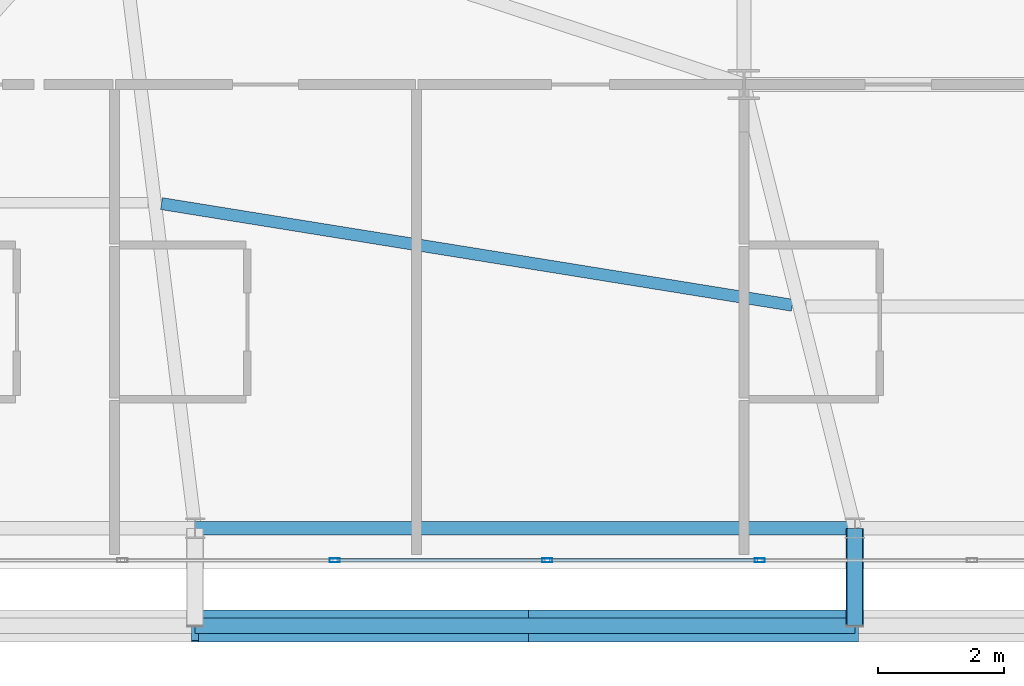
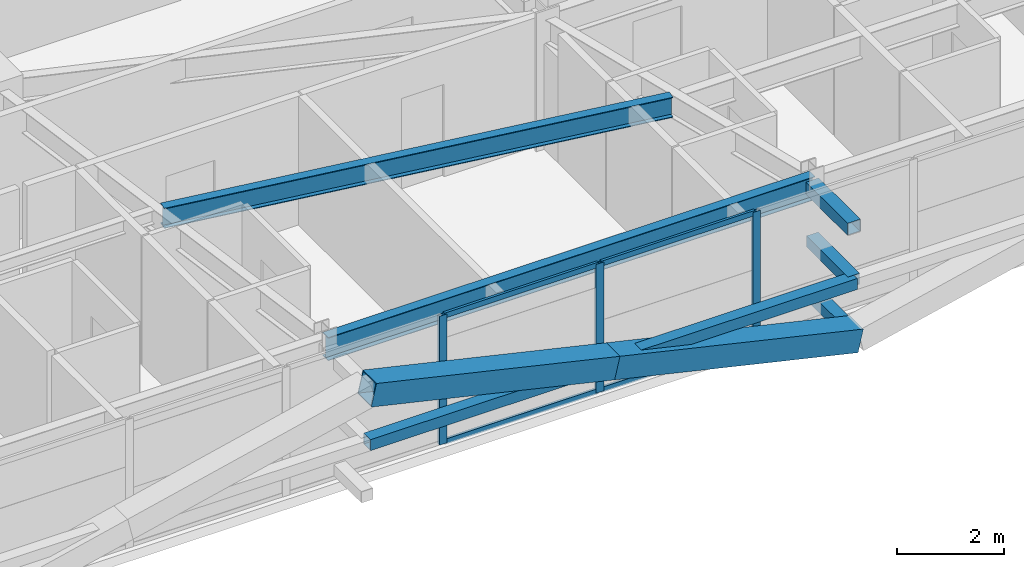
# One storey, part 11 of 59: 13 members, 2 beams, 1 element without a shape of its own.
"""IFC4 building model written with IfcOpenShell, lengths in metres."""

from ifc_helpers import new_model, si_unit, direction, frame, origin, origin_2d, place, context, subcontext, project, spatial, hollow_rectangle, i_section, extrude, source, transform, mapped, material, layer, layer_set, material_profile, profile_set, type_object, element, aggregate, save


model = new_model("IFC4")

# Units and contexts
model_context = context("Model", 3, precision=1e-05, world=origin(), true_north=direction((0.0, 1.0)))
body_context = subcontext(model_context, "Body", "Model", "MODEL_VIEW")
ifc_project = project(units=[si_unit("LENGTHUNIT", "METRE"), si_unit("AREAUNIT", "SQUARE_METRE"), si_unit("VOLUMEUNIT", "CUBIC_METRE"), si_unit("PLANEANGLEUNIT", "RADIAN"), si_unit("MASSUNIT", "GRAM", prefix="KILO")], contexts=[model_context])

# Site, building, storey
site_placement = place(None, origin())
site = spatial("IfcSite", under=ifc_project, at=site_placement, CompositionType="ELEMENT")
building_placement = place(site_placement, origin())
building = spatial("IfcBuilding", under=site, at=building_placement, Name="Taldren Reach Tower", CompositionType="ELEMENT")
storey_placement = place(building_placement, frame((0.0, 0.0, 23.10009765625)))
storey = spatial("IfcBuildingStorey", under=building, at=storey_placement, Name="L06", CompositionType="ELEMENT", Elevation=23.10009765625)

# Beams
ifc_material_1 = material(Name="Steel Gr 350 (350PLUS)", Category="steel")
ifc_material_profile_1 = material_profile(ifc_material_1, i_section(OverallWidth=0.208984375, OverallDepth=0.528076171875, WebThickness=0.009521484375, FlangeThickness=0.01318359375, at=origin_2d()), Name="530UB82.0")
ifc_profile_set_1 = profile_set([ifc_material_profile_1], Name="Steel Gr 350 (350PLUS)")
beam_type_1 = type_object("IfcBeamType", Name="SP-UB530B", PredefinedType="SPANDREL", material=ifc_profile_set_1)
shared_shape_1 = source(origin(), body_context, "Body", "SweptSolid", [
    extrude(i_section(OverallWidth=0.208984375, OverallDepth=0.528076171875, WebThickness=0.009521484375, FlangeThickness=0.01318359375, at=origin_2d()), origin(), (0.0, 0.0, 1.0), 10.47998046875),
])
beam_1_placement = place(storey_placement, frame((19.280029296875, 2.14990234375, 2.666015625), z_axis=(1.0, 0.0, 0.0), x_axis=(0.0, 1.0, 0.0)))
element("IfcBeam", 1, at=beam_1_placement, inside=storey, type_object=beam_type_1, Name="Perimeter spandrel B1 S2-S3 L06", PredefinedType="SPANDREL", context=body_context, shape_type="MappedRepresentation", body=[
    mapped(shared_shape_1, transform((0.0, 0.0, 0.0), scale=1.0)),
])
ifc_material_profile_2 = material_profile(ifc_material_1, i_section(OverallWidth=0.19091796875, OverallDepth=0.4599609375, WebThickness=0.010009765625, FlangeThickness=0.01611328125, at=origin_2d()), Name="460UB82.1")
ifc_profile_set_2 = profile_set([ifc_material_profile_2], Name="Steel Gr 350 (350PLUS)")
beam_type_2 = type_object("IfcBeamType", Name="BM-UB460A", PredefinedType="BEAM", material=ifc_profile_set_2)
shared_shape_2 = source(origin(), body_context, "Body", "SweptSolid", [
    extrude(i_section(OverallWidth=0.19091796875, OverallDepth=0.4599609375, WebThickness=0.010009765625, FlangeThickness=0.01611328125, at=origin_2d()), origin(), (0.0, 0.0, 1.0), 10.1494140625),
])
beam_2_placement = place(storey_placement, frame((18.74755859375, 7.3076171875, 2.699951171875), z_axis=(0.987266967452, -0.159072106224, 0.0), x_axis=(0.159072106224, 0.987266967452, 0.0)))
element("IfcBeam", 2, at=beam_2_placement, inside=storey, type_object=beam_type_2, Name="Secondary floor beam B1 J2 L06", PredefinedType="BEAM", context=body_context, shape_type="MappedRepresentation", body=[
    mapped(shared_shape_2, transform((0.0, 0.0, 0.0), scale=1.0)),
])

# Members
ifc_material_2 = material(Name="Steel Gr 450 (C450L0)", Category="steel")
ifc_material_profile_3 = material_profile(ifc_material_2, hollow_rectangle(XDim=0.27490234375, YDim=0.27490234375, WallThickness=0.00927734375, at=origin_2d()), Name="275x275x9.3SHS")
ifc_profile_set_3 = profile_set([ifc_material_profile_3], Name="Steel Gr 450 (C450L0)")
member_type_1 = type_object("IfcMemberType", Name="MB-TIE273", PredefinedType="STRUT", material=ifc_profile_set_3)
shared_shape_3 = source(origin(), body_context, "Body", "SweptSolid", [
    extrude(hollow_rectangle(XDim=0.27490234375, YDim=0.27490234375, WallThickness=0.00927734375, at=origin_2d()), origin(), (0.0, 0.0, 1.0), 1.5498046875),
])
member_1_placement = place(storey_placement, frame((29.760009765625, 2.14990234375, 2.64990234375), z_axis=(0.0, -1.0, 0.0), x_axis=(1.0, 0.0, 0.0)))
element("IfcMember", 3, at=member_1_placement, inside=storey, type_object=member_type_1, Name="Exoskeleton diaphragm tie strut B1-S3 L06", PredefinedType="STRUT", context=body_context, shape_type="MappedRepresentation", body=[
    mapped(shared_shape_3, transform((0.0, 0.0, 0.0), scale=1.0)),
])
ifc_material_profile_4 = material_profile(ifc_material_2, hollow_rectangle(XDim=0.510009765625, YDim=0.510009765625, WallThickness=0.02001953125, at=origin_2d()), Name="510x510x20.0SHS")
ifc_profile_set_4 = profile_set([ifc_material_profile_4], Name="Steel Gr 450 (C450L0)")
member_type_2 = type_object("IfcMemberType", Name="MB-EXO508", PredefinedType="BRACE", material=ifc_profile_set_4)
shared_shape_4 = source(origin(), body_context, "Body", "SweptSolid", [
    extrude(hollow_rectangle(XDim=0.510009765625, YDim=0.510009765625, WallThickness=0.02001953125, at=origin_2d()), origin(), (0.0, 0.0, 1.0), 5.37890625),
])
for number, where, z_axis, x_axis, name in (
    (4, (29.760009765625, 0.60009765625, 0.219970703125), (-0.974161966843, 0.0, 0.225850531007), (0.0, -1.0, 0.0), "Exoskeleton Diagrid Brace B1-S2 L06"),
    (5, (24.52001953125, 0.60009765625, 1.434814453125), (-0.97415197996, 0.0, 0.225893603143), (0.0, -1.0, 0.0), "Exoskeleton Diagrid Brace B1-S2 L06"),
):
    element("IfcMember", number, at=place(storey_placement, frame(where, z_axis=z_axis, x_axis=x_axis)), inside=storey, type_object=member_type_2, Name=name, PredefinedType="BRACE", context=body_context, shape_type="MappedRepresentation", body=[
        mapped(shared_shape_4, transform((0.0, 0.0, 0.0), scale=1.0)),
    ])
ifc_material_3 = material(Name="Steel Gr 350 (C350L0)", Category="steel")
ifc_material_profile_5 = material_profile(ifc_material_3, hollow_rectangle(XDim=0.25, YDim=0.25, WallThickness=0.010009765625, at=origin_2d()), Name="250x250x10.0SHS")
ifc_profile_set_5 = profile_set([ifc_material_profile_5], Name="Steel Gr 350 (C350L0)")
member_type_3 = type_object("IfcMemberType", Name="MB-POST250", PredefinedType="POST", material=ifc_profile_set_5)
shared_shape_5 = source(origin(), body_context, "Body", "SweptSolid", [
    extrude(hollow_rectangle(XDim=0.25, YDim=0.25, WallThickness=0.010009765625, at=origin_2d()), origin(), (0.0, 0.0, 1.0), 10.47998046875),
])
member_2_placement = place(storey_placement, frame((19.280029296875, 0.60009765625, 1.434814453125), z_axis=(1.0, 0.0, 0.0), x_axis=(0.0, 1.0, 0.0)))
element("IfcMember", 6, at=member_2_placement, inside=storey, type_object=member_type_3, Name="Exoskeleton mid-height ring chord B1-S2 L06", PredefinedType="POST", context=body_context, shape_type="MappedRepresentation", body=[
    mapped(shared_shape_5, transform((0.0, 0.0, 0.0), scale=1.0)),
])
shared_shape_6 = source(origin(), body_context, "Body", "SweptSolid", [
    extrude(hollow_rectangle(XDim=0.25, YDim=0.25, WallThickness=0.010009765625, at=origin_2d()), origin(), (0.0, 0.0, 1.0), 1.5498046875),
])
for number, where, z_axis, x_axis, name in (
    (7, (29.760009765625, 2.14990234375, 0.219970703125), (0.0, -1.0, 0.0), (1.0, 0.0, 0.0), "Exoskeleton base diaphragm tie strut B1-S3 L06"),
    (8, (29.760009765625, 2.14990234375, 1.434814453125), (0.0, -1.0, 0.0), (1.0, 0.0, 0.0), "Exoskeleton mid-tier diaphragm tie B1-S3 L06"),
):
    element("IfcMember", number, at=place(storey_placement, frame(where, z_axis=z_axis, x_axis=x_axis)), inside=storey, type_object=member_type_3, Name=name, PredefinedType="POST", context=body_context, shape_type="MappedRepresentation", body=[
        mapped(shared_shape_6, transform((0.0, 0.0, 0.0), scale=1.0)),
    ])

# Curtain wall, members
ifc_material_4 = material(Name="Aluminium and Low-E Glass Unitised System", Category="aluminium")
ifc_layer = layer(ifc_material_4, 0.159912109375)
ifc_layer_set = layer_set([ifc_layer], Name="Aluminium and Low-E Glass Unitised System")
curtain_wall_type = type_object("IfcCurtainWallType", Name="CW-SYS-2", PredefinedType="NOTDEFINED", material=ifc_layer_set)
curtain_wall_placement = place(storey_placement, origin())
curtain_wall = element("IfcCurtainWall", 9, at=curtain_wall_placement, inside=storey, type_object=curtain_wall_type, Name="Unitised curtain wall CW-L06-S", PredefinedType="NOTDEFINED")
ifc_material_5 = material(Name="Anodised Aluminium 6063-T6", Category="aluminium")
ifc_material_profile_6 = material_profile(ifc_material_5, hollow_rectangle(XDim=0.06494140625, YDim=0.1650390625, WallThickness=0.00390625, at=origin_2d()), Name="ALU-165x65x4RHS")
ifc_profile_set_6 = profile_set([ifc_material_profile_6], Name="Anodised Aluminium 6063-T6")
member_type_4 = type_object("IfcMemberType", Name="CW-MUL-165", PredefinedType="MULLION", material=ifc_profile_set_6)
shared_shape_7 = source(origin(), body_context, "Body", "SweptSolid", [
    extrude(hollow_rectangle(XDim=0.06494140625, YDim=0.1650390625, WallThickness=0.00390625, at=origin_2d()), origin(), (0.0, 0.0, 1.0), 2.929931640625),
])
member_3_placement = place(storey_placement, frame((21.5, 1.639892578125, 0.0), z_axis=(0.0, 0.0, 1.0), x_axis=(0.0, 1.0, 0.0)))
member_3 = element("IfcMember", 10, at=member_3_placement, type_object=member_type_4, Name="CW-2 mullion 5", PredefinedType="MULLION", context=body_context, shape_type="MappedRepresentation", body=[
    mapped(shared_shape_7, transform((0.0, 0.0, 0.0), scale=1.0)),
])
member_4_placement = place(storey_placement, frame((24.875, 1.639892578125, 0.0), z_axis=(0.0, 0.0, 1.0), x_axis=(0.0, 1.0, 0.0)))
member_4 = element("IfcMember", 11, at=member_4_placement, type_object=member_type_4, Name="CW-2 mullion 6", PredefinedType="MULLION", context=body_context, shape_type="MappedRepresentation", body=[
    mapped(shared_shape_7, transform((0.0, 0.0, 0.0), scale=1.0)),
])
member_5_placement = place(storey_placement, frame((28.25, 1.639892578125, 0.0), z_axis=(0.0, 0.0, 1.0), x_axis=(0.0, 1.0, 0.0)))
member_5 = element("IfcMember", 12, at=member_5_placement, type_object=member_type_4, Name="CW-2 mullion 7", PredefinedType="MULLION", context=body_context, shape_type="MappedRepresentation", body=[
    mapped(shared_shape_7, transform((0.0, 0.0, 0.0), scale=1.0)),
])
ifc_material_profile_7 = material_profile(ifc_material_5, hollow_rectangle(XDim=0.054931640625, YDim=0.1201171875, WallThickness=0.0029296875, at=origin_2d()), Name="ALU-120x55x3RHS")
ifc_profile_set_7 = profile_set([ifc_material_profile_7], Name="Anodised Aluminium 6063-T6")
member_type_5 = type_object("IfcMemberType", Name="CW-TRN-135", PredefinedType="USERDEFINED", material=ifc_profile_set_7)
shared_shape_8 = source(origin(), body_context, "Body", "SweptSolid", [
    extrude(hollow_rectangle(XDim=0.054931640625, YDim=0.1201171875, WallThickness=0.0029296875, at=origin_2d()), origin(), (0.0, 0.0, 1.0), 3.31005859375),
])
member_6_placement = place(storey_placement, frame((21.532470703125, 1.639892578125, 0.02734375), z_axis=(1.0, 0.0, 0.0), x_axis=(0.0, 1.0, 0.0)))
member_6 = element("IfcMember", 13, at=member_6_placement, type_object=member_type_5, Name="CW-2 transom 5.1", ObjectType="TRANSOM", PredefinedType="USERDEFINED", context=body_context, shape_type="MappedRepresentation", body=[
    mapped(shared_shape_8, transform((0.0, 0.0, 0.0), scale=1.0)),
])
member_7_placement = place(storey_placement, frame((21.532470703125, 1.639892578125, 2.90234375), z_axis=(1.0, 0.0, 0.0), x_axis=(0.0, 1.0, 0.0)))
member_7 = element("IfcMember", 14, at=member_7_placement, type_object=member_type_5, Name="CW-2 transom 5.2", ObjectType="TRANSOM", PredefinedType="USERDEFINED", context=body_context, shape_type="MappedRepresentation", body=[
    mapped(shared_shape_8, transform((0.0, 0.0, 0.0), scale=1.0)),
])
member_8_placement = place(storey_placement, frame((24.907470703125, 1.639892578125, 0.02734375), z_axis=(1.0, 0.0, 0.0), x_axis=(0.0, 1.0, 0.0)))
member_8 = element("IfcMember", 15, at=member_8_placement, type_object=member_type_5, Name="CW-2 transom 6.1", ObjectType="TRANSOM", PredefinedType="USERDEFINED", context=body_context, shape_type="MappedRepresentation", body=[
    mapped(shared_shape_8, transform((0.0, 0.0, 0.0), scale=1.0)),
])
member_9_placement = place(storey_placement, frame((24.907470703125, 1.639892578125, 2.90234375), z_axis=(1.0, 0.0, 0.0), x_axis=(0.0, 1.0, 0.0)))
member_9 = element("IfcMember", 16, at=member_9_placement, type_object=member_type_5, Name="CW-2 transom 6.2", ObjectType="TRANSOM", PredefinedType="USERDEFINED", context=body_context, shape_type="MappedRepresentation", body=[
    mapped(shared_shape_8, transform((0.0, 0.0, 0.0), scale=1.0)),
])
aggregate(curtain_wall, [member_3, member_4, member_5, member_6, member_7, member_8, member_9])

save(model, "model.ifc")
